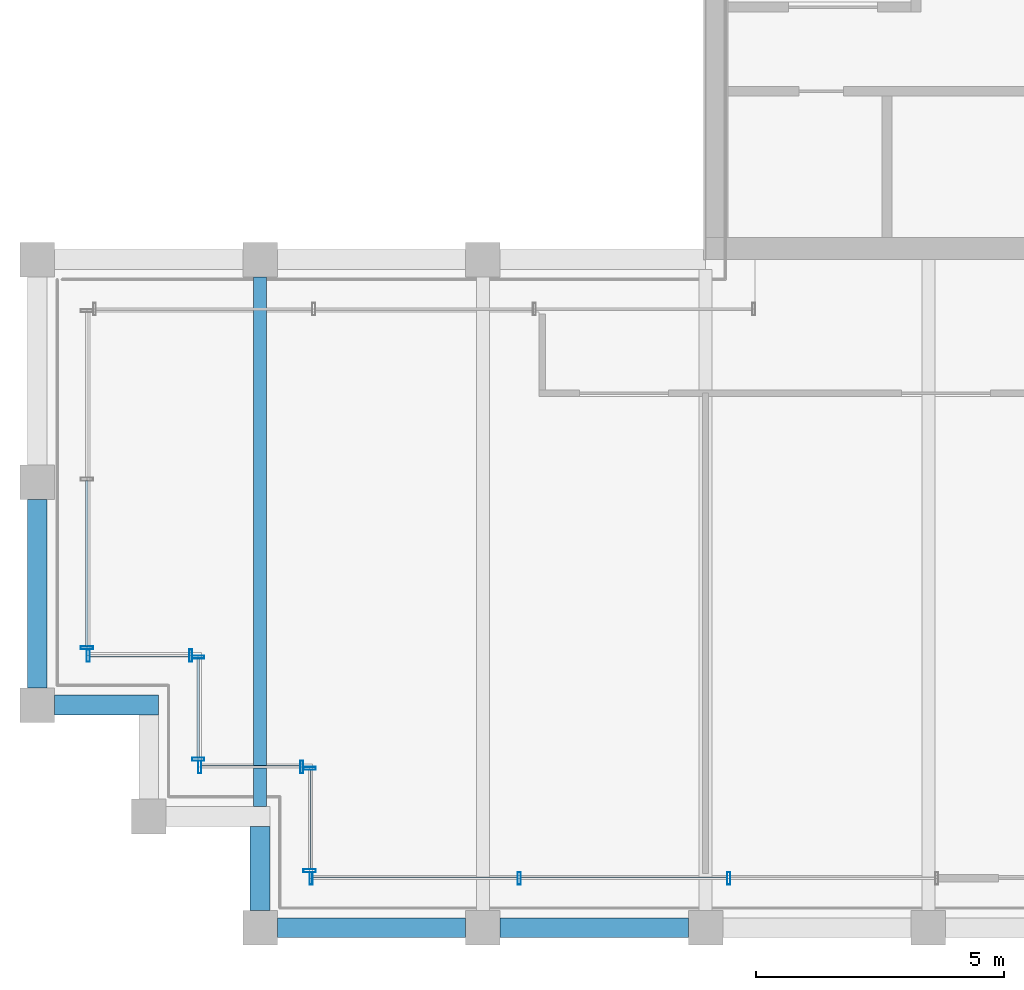
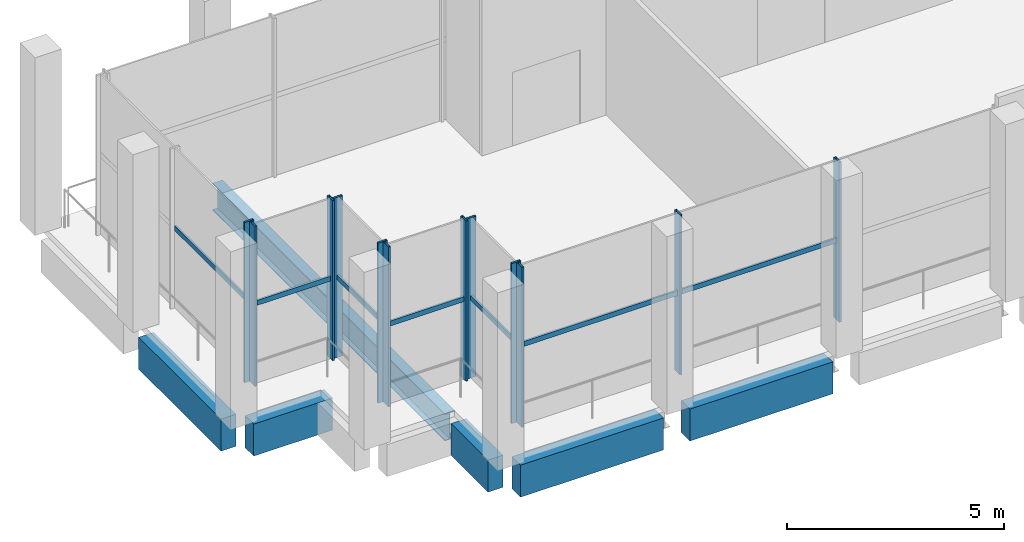
# One storey, part 2 of 14: 19 members, 6 beams, 6 elements without a shape of their own.
"""IFC4 building model written with IfcOpenShell, lengths in metres."""

from ifc_helpers import new_model, si_unit, direction, frame, origin, origin_2d, place, context, subcontext, project, spatial, rectangle, hollow_rectangle, i_section, extrude, material, material_profile, profile_set, type_object, element, aggregate, save


model = new_model("IFC4")

# Units and contexts
model_context = context("Model", 3, precision=1e-05, world=origin(), true_north=direction((0.0, 1.0)))
body_context = subcontext(model_context, "Body", "Model", "MODEL_VIEW")
ifc_project = project(units=[si_unit("LENGTHUNIT", "METRE"), si_unit("AREAUNIT", "SQUARE_METRE"), si_unit("VOLUMEUNIT", "CUBIC_METRE"), si_unit("PLANEANGLEUNIT", "RADIAN"), si_unit("MASSUNIT", "GRAM", prefix="KILO")], contexts=[model_context])

# Site, building, storey
site_placement = place(None, origin())
site = spatial("IfcSite", under=ifc_project, at=site_placement, CompositionType="ELEMENT")
building_placement = place(site_placement, origin())
building = spatial("IfcBuilding", under=site, at=building_placement, Name="Altepetl Exchange Towers", CompositionType="ELEMENT")
storey_placement = place(building_placement, frame((0.0, 0.0, 269.60009765625)))
storey = spatial("IfcBuildingStorey", under=building, at=storey_placement, Name="L68 Observation gallery", CompositionType="ELEMENT", Elevation=269.60009765625)

# Beam
ifc_material_1 = material(Name="Steel S355", Category="steel")
ifc_material_profile_1 = material_profile(ifc_material_1, i_section(OverallWidth=0.26611328125, OverallDepth=0.758056640625, WebThickness=0.013916015625, FlangeThickness=0.019287109375, at=origin_2d()), Name="W30X108")
ifc_profile_set_1 = profile_set([ifc_material_profile_1], Name="Steel S355")
beam_type_1 = type_object("IfcBeamType", Name="Floor beam W30X108", PredefinedType="BEAM", material=ifc_profile_set_1)
beam_1_placement = place(storey_placement, frame((31.5, 29.449951171875, -0.55419921875), z_axis=(0.0, 1.0, 0.0), x_axis=(-1.0, 0.0, 0.0)))
element("IfcBeam", 1, at=beam_1_placement, inside=storey, type_object=beam_type_1, Name="bm:A:L68:006", PredefinedType="BEAM", context=body_context, shape_type="SweptSolid", body=[
    extrude(i_section(OverallWidth=0.26611328125, OverallDepth=0.758056640625, WebThickness=0.013916015625, FlangeThickness=0.019287109375, at=origin_2d()), origin(), (0.0, 0.0, 1.0), 10.699951171875),
])

# Curtain wall, member
ifc_material_2 = material(Name="Aluminium 6063-T6 glazing", Category="aluminium")
curtain_wall_type = type_object("IfcCurtainWallType", Name="Executive flush glazing system", PredefinedType="NOTDEFINED", material=ifc_material_2)
curtain_wall_1_placement = place(storey_placement, origin())
curtain_wall_1 = element("IfcCurtainWall", 2, at=curtain_wall_1_placement, inside=storey, type_object=curtain_wall_type, Name="CW4 run", PredefinedType="NOTDEFINED")
ifc_material_3 = material(Name="Aluminium 6063-T6", Category="aluminium")
ifc_material_profile_2 = material_profile(ifc_material_3, hollow_rectangle(XDim=0.06005859375, YDim=0.25, WallThickness=0.0029296875, at=origin_2d()), Name="Mullion 60x250 hollow aluminium")
ifc_profile_set_2 = profile_set([ifc_material_profile_2], Name="Aluminium 6063-T6")
member_type_1 = type_object("IfcMemberType", Name="Mullion 60x250 hollow aluminium", PredefinedType="MULLION", material=ifc_profile_set_2)
member_1_placement = place(storey_placement, frame((28.0, 32.655029296875, 0.0), z_axis=(0.0, 0.0, 1.0), x_axis=(0.0, -1.0, 0.0)))
member_1 = element("IfcMember", 3, at=member_1_placement, type_object=member_type_1, Name="MU3 mullion", PredefinedType="MULLION", context=body_context, shape_type="SweptSolid", body=[
    extrude(hollow_rectangle(XDim=0.06005859375, YDim=0.25, WallThickness=0.0029296875, at=origin_2d()), origin(), (0.0, 0.0, 1.0), 4.5),
])

# Curtain wall, members
curtain_wall_2_placement = place(storey_placement, origin())
curtain_wall_2 = element("IfcCurtainWall", 4, at=curtain_wall_2_placement, inside=storey, type_object=curtain_wall_type, Name="CW4 run", PredefinedType="NOTDEFINED")
member_2_placement = place(storey_placement, frame((28.030029296875, 32.5, 0.0)))
member_2 = element("IfcMember", 5, at=member_2_placement, type_object=member_type_1, Name="MU3 mullion", PredefinedType="MULLION", context=body_context, shape_type="SweptSolid", body=[
    extrude(hollow_rectangle(XDim=0.06005859375, YDim=0.25, WallThickness=0.0029296875, at=origin_2d()), origin(), (0.0, 0.0, 1.0), 4.5),
])
member_3_placement = place(storey_placement, frame((30.094970703125, 32.5, 0.0)))
member_3 = element("IfcMember", 6, at=member_3_placement, type_object=member_type_1, Name="MU3 mullion", PredefinedType="MULLION", context=body_context, shape_type="SweptSolid", body=[
    extrude(hollow_rectangle(XDim=0.06005859375, YDim=0.25, WallThickness=0.0029296875, at=origin_2d()), origin(), (0.0, 0.0, 1.0), 4.5),
])

curtain_wall_3_placement = place(storey_placement, origin())
curtain_wall_3 = element("IfcCurtainWall", 7, at=curtain_wall_3_placement, inside=storey, type_object=curtain_wall_type, Name="CW4 run", PredefinedType="NOTDEFINED")
member_4_placement = place(storey_placement, frame((30.25, 32.469970703125, 0.0), z_axis=(0.0, 0.0, 1.0), x_axis=(0.0, -1.0, 0.0)))
member_4 = element("IfcMember", 8, at=member_4_placement, type_object=member_type_1, Name="MU3 mullion", PredefinedType="MULLION", context=body_context, shape_type="SweptSolid", body=[
    extrude(hollow_rectangle(XDim=0.06005859375, YDim=0.25, WallThickness=0.0029296875, at=origin_2d()), origin(), (0.0, 0.0, 1.0), 4.5),
])
member_5_placement = place(storey_placement, frame((30.25, 30.405029296875, 0.0), z_axis=(0.0, 0.0, 1.0), x_axis=(0.0, -1.0, 0.0)))
member_5 = element("IfcMember", 9, at=member_5_placement, type_object=member_type_1, Name="MU3 mullion", PredefinedType="MULLION", context=body_context, shape_type="SweptSolid", body=[
    extrude(hollow_rectangle(XDim=0.06005859375, YDim=0.25, WallThickness=0.0029296875, at=origin_2d()), origin(), (0.0, 0.0, 1.0), 4.5),
])

curtain_wall_4_placement = place(storey_placement, origin())
curtain_wall_4 = element("IfcCurtainWall", 10, at=curtain_wall_4_placement, inside=storey, type_object=curtain_wall_type, Name="CW4 run", PredefinedType="NOTDEFINED")
member_6_placement = place(storey_placement, frame((30.280029296875, 30.25, 0.0)))
member_6 = element("IfcMember", 11, at=member_6_placement, type_object=member_type_1, Name="MU3 mullion", PredefinedType="MULLION", context=body_context, shape_type="SweptSolid", body=[
    extrude(hollow_rectangle(XDim=0.06005859375, YDim=0.25, WallThickness=0.0029296875, at=origin_2d()), origin(), (0.0, 0.0, 1.0), 4.5),
])
member_7_placement = place(storey_placement, frame((32.344970703125, 30.25, 0.0)))
member_7 = element("IfcMember", 12, at=member_7_placement, type_object=member_type_1, Name="MU3 mullion", PredefinedType="MULLION", context=body_context, shape_type="SweptSolid", body=[
    extrude(hollow_rectangle(XDim=0.06005859375, YDim=0.25, WallThickness=0.0029296875, at=origin_2d()), origin(), (0.0, 0.0, 1.0), 4.5),
])

curtain_wall_5_placement = place(storey_placement, origin())
curtain_wall_5 = element("IfcCurtainWall", 13, at=curtain_wall_5_placement, inside=storey, type_object=curtain_wall_type, Name="CW4 run", PredefinedType="NOTDEFINED")
member_8_placement = place(storey_placement, frame((32.5, 30.219970703125, 0.0), z_axis=(0.0, 0.0, 1.0), x_axis=(0.0, -1.0, 0.0)))
member_8 = element("IfcMember", 14, at=member_8_placement, type_object=member_type_1, Name="MU3 mullion", PredefinedType="MULLION", context=body_context, shape_type="SweptSolid", body=[
    extrude(hollow_rectangle(XDim=0.06005859375, YDim=0.25, WallThickness=0.0029296875, at=origin_2d()), origin(), (0.0, 0.0, 1.0), 4.5),
])
member_9_placement = place(storey_placement, frame((32.5, 28.155029296875, 0.0), z_axis=(0.0, 0.0, 1.0), x_axis=(0.0, -1.0, 0.0)))
member_9 = element("IfcMember", 15, at=member_9_placement, type_object=member_type_1, Name="MU3 mullion", PredefinedType="MULLION", context=body_context, shape_type="SweptSolid", body=[
    extrude(hollow_rectangle(XDim=0.06005859375, YDim=0.25, WallThickness=0.0029296875, at=origin_2d()), origin(), (0.0, 0.0, 1.0), 4.5),
])

curtain_wall_6_placement = place(storey_placement, origin())
curtain_wall_6 = element("IfcCurtainWall", 16, at=curtain_wall_6_placement, inside=storey, type_object=curtain_wall_type, Name="CW4 run", PredefinedType="NOTDEFINED")
member_10_placement = place(storey_placement, frame((32.530029296875, 28.0, 0.0)))
member_10 = element("IfcMember", 17, at=member_10_placement, type_object=member_type_1, Name="MU3 mullion", PredefinedType="MULLION", context=body_context, shape_type="SweptSolid", body=[
    extrude(hollow_rectangle(XDim=0.06005859375, YDim=0.25, WallThickness=0.0029296875, at=origin_2d()), origin(), (0.0, 0.0, 1.0), 4.5),
])
member_11_placement = place(storey_placement, frame((36.734375, 28.0, 0.0)))
member_11 = element("IfcMember", 18, at=member_11_placement, type_object=member_type_1, Name="MU3 mullion", PredefinedType="MULLION", context=body_context, shape_type="SweptSolid", body=[
    extrude(hollow_rectangle(XDim=0.06005859375, YDim=0.25, WallThickness=0.0029296875, at=origin_2d()), origin(), (0.0, 0.0, 1.0), 4.5),
])
member_12_placement = place(storey_placement, frame((40.96875, 28.0, 0.0)))
member_12 = element("IfcMember", 19, at=member_12_placement, type_object=member_type_1, Name="MU3 mullion", PredefinedType="MULLION", context=body_context, shape_type="SweptSolid", body=[
    extrude(hollow_rectangle(XDim=0.06005859375, YDim=0.25, WallThickness=0.0029296875, at=origin_2d()), origin(), (0.0, 0.0, 1.0), 4.5),
])

# Beams
ifc_material_4 = material(Name="Concrete C50/60 precast with cantera blanca facing", Category="concrete")
ifc_material_profile_3 = material_profile(ifc_material_4, rectangle(XDim=0.39990234375, YDim=0.89990234375, at=origin_2d()), Name="400 x 900")
ifc_profile_set_3 = profile_set([ifc_material_profile_3], Name="Concrete C50/60 precast with cantera blanca facing")
beam_type_2 = type_object("IfcBeamType", Name="Spandrel beam 400x900 cantera blanca", PredefinedType="SPANDREL", material=ifc_profile_set_3)
for number, where, z_axis, x_axis, name in (
    (20, (31.85009765625, 27.0, -0.625), (1.0, 0.0, 0.0), (0.0, 1.0, 0.0), "sp:A:L68:000"),
    (21, (36.35009765625, 27.0, -0.625), (1.0, 0.0, 0.0), (0.0, 1.0, 0.0), "sp:A:L68:001"),
    (22, (27.0, 35.64990234375, -0.625), (0.0, -1.0, 0.0), (1.0, 0.0, 0.0), "sp:A:L68:027"),
):
    element("IfcBeam", number, at=place(storey_placement, frame(where, z_axis=z_axis, x_axis=x_axis)), inside=storey, type_object=beam_type_2, Name=name, PredefinedType="SPANDREL", context=body_context, shape_type="SweptSolid", body=[
        extrude(rectangle(XDim=0.39990234375, YDim=0.89990234375, at=origin_2d()), origin(), (0.0, 0.0, 1.0), 3.7998046875),
    ])
beam_2_placement = place(storey_placement, frame((27.35009765625, 31.5, -0.625), z_axis=(1.0, 0.0, 0.0), x_axis=(0.0, 1.0, 0.0)))
element("IfcBeam", 23, at=beam_2_placement, inside=storey, type_object=beam_type_2, Name="sp:A:L68:028", PredefinedType="SPANDREL", context=body_context, shape_type="SweptSolid", body=[
    extrude(rectangle(XDim=0.39990234375, YDim=0.89990234375, at=origin_2d()), origin(), (0.0, 0.0, 1.0), 2.099853515625),
])
beam_3_placement = place(storey_placement, frame((31.5, 29.050048828125, -0.625), z_axis=(0.0, -1.0, 0.0), x_axis=(1.0, 0.0, 0.0)))
element("IfcBeam", 24, at=beam_3_placement, inside=storey, type_object=beam_type_2, Name="sp:A:L68:031", PredefinedType="SPANDREL", context=body_context, shape_type="SweptSolid", body=[
    extrude(rectangle(XDim=0.39990234375, YDim=0.89990234375, at=origin_2d()), origin(), (0.0, 0.0, 1.0), 1.699951171875),
])

# Member
ifc_material_profile_4 = material_profile(ifc_material_3, hollow_rectangle(XDim=0.050048828125, YDim=0.139892578125, WallThickness=0.0029296875, at=origin_2d()), Name="Transom 50x140 hollow aluminium")
ifc_profile_set_4 = profile_set([ifc_material_profile_4], Name="Aluminium 6063-T6")
member_type_2 = type_object("IfcMemberType", Name="Transom 50x140 hollow aluminium", PredefinedType="USERDEFINED", material=ifc_profile_set_4)
member_13_placement = place(storey_placement, frame((28.0, 36.032470703125, 2.25), z_axis=(0.0, -1.0, 0.0), x_axis=(1.0, 0.0, 0.0)))
member_13 = element("IfcMember", 25, at=member_13_placement, type_object=member_type_2, Name="TR2 transom", ObjectType="TRANSOM", PredefinedType="USERDEFINED", context=body_context, shape_type="SweptSolid", body=[
    extrude(hollow_rectangle(XDim=0.050048828125, YDim=0.139892578125, WallThickness=0.0029296875, at=origin_2d()), origin(), (0.0, 0.0, 1.0), 3.347412109375),
])

aggregate(curtain_wall_1, [member_1, member_13])

member_14_placement = place(storey_placement, frame((28.06005859375, 32.5, 2.25), z_axis=(1.0, 0.0, 0.0), x_axis=(0.0, 1.0, 0.0)))
member_14 = element("IfcMember", 26, at=member_14_placement, type_object=member_type_2, Name="TR2 transom", ObjectType="TRANSOM", PredefinedType="USERDEFINED", context=body_context, shape_type="SweptSolid", body=[
    extrude(hollow_rectangle(XDim=0.050048828125, YDim=0.139892578125, WallThickness=0.0029296875, at=origin_2d()), origin(), (0.0, 0.0, 1.0), 2.0048828125),
])

aggregate(curtain_wall_2, [member_2, member_3, member_14])

member_15_placement = place(storey_placement, frame((30.25, 32.43994140625, 2.25), z_axis=(0.0, -1.0, 0.0), x_axis=(1.0, 0.0, 0.0)))
member_15 = element("IfcMember", 27, at=member_15_placement, type_object=member_type_2, Name="TR2 transom", ObjectType="TRANSOM", PredefinedType="USERDEFINED", context=body_context, shape_type="SweptSolid", body=[
    extrude(hollow_rectangle(XDim=0.050048828125, YDim=0.139892578125, WallThickness=0.0029296875, at=origin_2d()), origin(), (0.0, 0.0, 1.0), 2.0048828125),
])

aggregate(curtain_wall_3, [member_4, member_5, member_15])

member_16_placement = place(storey_placement, frame((30.31005859375, 30.25, 2.25), z_axis=(1.0, 0.0, 0.0), x_axis=(0.0, 1.0, 0.0)))
member_16 = element("IfcMember", 28, at=member_16_placement, type_object=member_type_2, Name="TR2 transom", ObjectType="TRANSOM", PredefinedType="USERDEFINED", context=body_context, shape_type="SweptSolid", body=[
    extrude(hollow_rectangle(XDim=0.050048828125, YDim=0.139892578125, WallThickness=0.0029296875, at=origin_2d()), origin(), (0.0, 0.0, 1.0), 2.0048828125),
])

aggregate(curtain_wall_4, [member_6, member_7, member_16])

member_17_placement = place(storey_placement, frame((32.5, 30.18994140625, 2.25), z_axis=(0.0, -1.0, 0.0), x_axis=(1.0, 0.0, 0.0)))
member_17 = element("IfcMember", 29, at=member_17_placement, type_object=member_type_2, Name="TR2 transom", ObjectType="TRANSOM", PredefinedType="USERDEFINED", context=body_context, shape_type="SweptSolid", body=[
    extrude(hollow_rectangle(XDim=0.050048828125, YDim=0.139892578125, WallThickness=0.0029296875, at=origin_2d()), origin(), (0.0, 0.0, 1.0), 2.0048828125),
])

aggregate(curtain_wall_5, [member_8, member_9, member_17])

member_18_placement = place(storey_placement, frame((32.56005859375, 28.0, 2.25), z_axis=(1.0, 0.0, 0.0), x_axis=(0.0, 1.0, 0.0)))
member_18 = element("IfcMember", 30, at=member_18_placement, type_object=member_type_2, Name="TR2 transom", ObjectType="TRANSOM", PredefinedType="USERDEFINED", context=body_context, shape_type="SweptSolid", body=[
    extrude(hollow_rectangle(XDim=0.050048828125, YDim=0.139892578125, WallThickness=0.0029296875, at=origin_2d()), origin(), (0.0, 0.0, 1.0), 4.144287109375),
])

member_19_placement = place(storey_placement, frame((36.764404296875, 28.0, 2.25), z_axis=(1.0, 0.0, 0.0), x_axis=(0.0, 1.0, 0.0)))
member_19 = element("IfcMember", 31, at=member_19_placement, type_object=member_type_2, Name="TR2 transom", ObjectType="TRANSOM", PredefinedType="USERDEFINED", context=body_context, shape_type="SweptSolid", body=[
    extrude(hollow_rectangle(XDim=0.050048828125, YDim=0.139892578125, WallThickness=0.0029296875, at=origin_2d()), origin(), (0.0, 0.0, 1.0), 4.17431640625),
])

aggregate(curtain_wall_6, [member_10, member_11, member_12, member_18, member_19])

save(model, "model.ifc")
